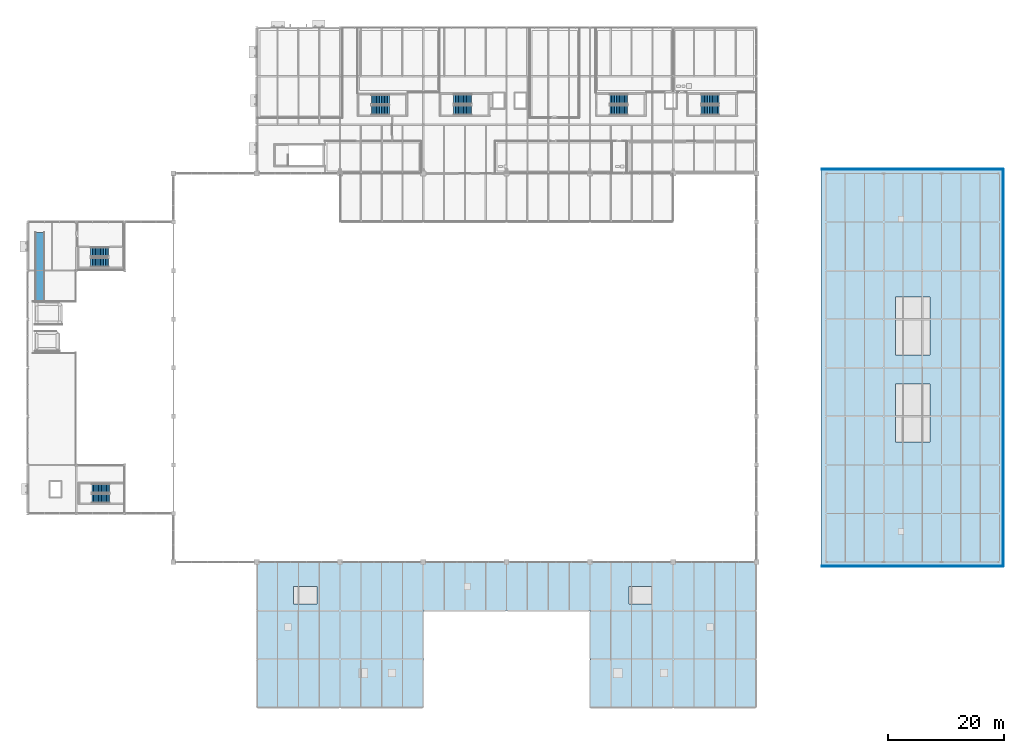
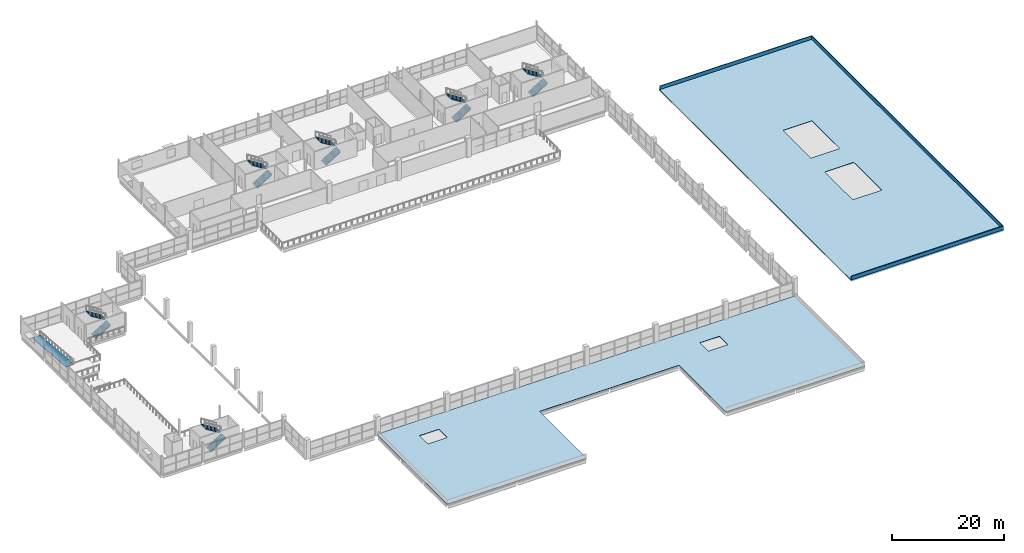
# One storey, part 82 of 93: 12 stair flights, 3 walls, 2 roofs, 1 ramp flight, 7 elements without a shape of their own.
"""IFC4 building model written with IfcOpenShell, lengths in metres."""

import ifcopenshell
import ifcopenshell.guid

model = None  # the IFC model being written
_history = None  # IfcOwnerHistory: only IFC2X3 demands one
_inside = {}  # id of a spatial element -> (the spatial element, [elements in it])
_under = {}  # id of a project, library or spatial element -> (it, [spatial elements below it])
_declared = {}  # id of a project -> (the project, [libraries it declares])
_typed = {}  # id of a type object -> (the type object, [elements of that type])
_made_of = {}  # id of a material, layer set ... -> (it, [elements and type objects made of it])


def new_model(schema):
    """Start an empty IFC model of exactly this schema.

    Asked for "IFC4X3", IfcOpenShell would pick the latest addendum, in which some entities
    have other attributes; the version numbers below select the first issue.
    IFC2X3 requires an IfcOwnerHistory on every rooted entity: one is made here for all.
    """
    global model, _history
    if schema == "IFC4X3":
        model = ifcopenshell.file(schema_version=(4, 3, 0, 0))
    else:
        model = ifcopenshell.file(schema=schema)
    _inside.clear()
    _under.clear()
    _declared.clear()
    _typed.clear()
    _made_of.clear()
    _history = None
    if model.schema == "IFC2X3":
        org = make("IfcOrganization", Name="unknown")
        user = make(
            "IfcPersonAndOrganization",
            ThePerson=make("IfcPerson", FamilyName="unknown"),
            TheOrganization=org,
        )
        app = make(
            "IfcApplication",
            ApplicationDeveloper=org,
            Version="unknown",
            ApplicationFullName="unknown",
            ApplicationIdentifier="unknown",
        )
        _history = make(
            "IfcOwnerHistory",
            OwningUser=user,
            OwningApplication=app,
            ChangeAction="ADDED",
            CreationDate=0,
        )
    return model


def make(cls, **values):
    """One entity of the class cls with the attributes given. An attribute that is None is left unset."""
    return model.create_entity(
        cls, **{name: value for name, value in values.items() if value is not None}
    )


def rooted(cls, **values):
    """An entity with a GlobalId (a new one), such as an element, a storey or a relation."""
    return make(cls, GlobalId=ifcopenshell.guid.new(), OwnerHistory=_history, **values)


def si_unit(unit_type, name, prefix=None):
    """IfcSIUnit, for example si_unit("LENGTHUNIT", "METRE", prefix="MILLI")."""
    return make("IfcSIUnit", UnitType=unit_type, Prefix=prefix, Name=name)


def assignment(units):
    """IfcUnitAssignment: the units of a project."""
    return None if units is None else make("IfcUnitAssignment", Units=units)


def point(xyz):
    """IfcCartesianPoint."""
    return None if xyz is None else make("IfcCartesianPoint", Coordinates=xyz)


def direction(xyz):
    """IfcDirection."""
    return None if xyz is None else make("IfcDirection", DirectionRatios=xyz)


def frame(location, z_axis=None, x_axis=None):
    """IfcAxis2Placement3D, a coordinate frame: its origin and axes. An axis left out is left unset."""
    return make(
        "IfcAxis2Placement3D",
        Location=point(location),
        Axis=direction(z_axis),
        RefDirection=direction(x_axis),
    )


def frame_2d(location, x_axis=None):
    """IfcAxis2Placement2D, a coordinate frame in the plane: its origin and x axis."""
    return make(
        "IfcAxis2Placement2D", Location=point(location), RefDirection=direction(x_axis)
    )


def origin():
    """The frame at (0, 0, 0) with its axes left unset."""
    return frame((0.0, 0.0, 0.0))


def place(relative_to, where):
    """IfcLocalPlacement: puts the frame where relative to a parent placement (None: the world)."""
    return make(
        "IfcLocalPlacement", PlacementRelTo=relative_to, RelativePlacement=where
    )


def context(
    kind, dimensions, precision=None, world=None, true_north=None, identifier=None
):
    """IfcGeometricRepresentationContext, for example the 3D "Model" context."""
    return make(
        "IfcGeometricRepresentationContext",
        ContextIdentifier=identifier,
        ContextType=kind,
        CoordinateSpaceDimension=dimensions,
        Precision=precision,
        WorldCoordinateSystem=world,
        TrueNorth=true_north,
    )


def subcontext(parent, identifier, kind, view, scale=None):
    """IfcGeometricRepresentationSubContext, for example "Body" below "Model"."""
    return make(
        "IfcGeometricRepresentationSubContext",
        ContextIdentifier=identifier,
        ContextType=kind,
        ParentContext=parent,
        TargetScale=scale,
        TargetView=view,
    )


def project(units=None, contexts=None):
    """IfcProject with its units and contexts."""
    return rooted(
        "IfcProject",
        Name="project",
        RepresentationContexts=contexts,
        UnitsInContext=assignment(units),
    )


def spatial(cls, under=None, at=None, **own):
    """A site, building, storey or space (cls), placed at a placement, below another one or the project."""
    s = rooted(cls, ObjectPlacement=at, **own)
    if under is not None:
        _under.setdefault(under.id(), (under, []))[1].append(s)
    return s


def polyline(points):
    """IfcPolyline through the points."""
    return make("IfcPolyline", Points=[point(p) for p in points])


def profile(cls, at=None, kind="AREA", **sizes):
    """A parametric profile (cls). Its sizes go by their IFC names, for example OverallWidth=200.0."""
    return make(cls, ProfileType=kind, Position=at, **sizes)


def rectangle(**sizes):
    """IfcRectangleProfileDef."""
    return profile("IfcRectangleProfileDef", **sizes)


def outline(outer, holes=None, kind="AREA"):
    """IfcArbitraryClosedProfileDef: a profile drawn as a closed curve; with holes, ...WithVoids."""
    if holes is None:
        return make("IfcArbitraryClosedProfileDef", ProfileType=kind, OuterCurve=outer)
    return make(
        "IfcArbitraryProfileDefWithVoids",
        ProfileType=kind,
        OuterCurve=outer,
        InnerCurves=holes,
    )


def extrude(swept, where, along, depth):
    """IfcExtrudedAreaSolid: the profile swept, set in the frame where, extruded along a direction by depth."""
    return make(
        "IfcExtrudedAreaSolid",
        SweptArea=swept,
        Position=where,
        ExtrudedDirection=direction(along),
        Depth=depth,
    )


def shape(context_of_items, identifier, shape_type, items):
    """IfcShapeRepresentation: the items that make up one representation, for example the "Body"."""
    return make(
        "IfcShapeRepresentation",
        ContextOfItems=context_of_items,
        RepresentationIdentifier=identifier,
        RepresentationType=shape_type,
        Items=items,
    )


def material(Name=None, Category=None):
    """IfcMaterial."""
    return make("IfcMaterial", Name=Name, Category=Category)


def layer(
    of_material, thickness, ventilated=None, Name=None, Category=None, Priority=None
):
    """IfcMaterialLayer: one layer of a wall or slab, of a material (None: an air gap)."""
    return make(
        "IfcMaterialLayer",
        Material=of_material,
        LayerThickness=thickness,
        IsVentilated=ventilated,
        Name=Name,
        Category=Category,
        Priority=Priority,
    )


def layer_set(layers, Name=None):
    """IfcMaterialLayerSet."""
    return make("IfcMaterialLayerSet", MaterialLayers=layers, LayerSetName=Name)


def made_of(thing, what):
    """Note that an element or type object is made of a material, layer set ...; save() writes the relation."""
    if what is not None:
        _made_of.setdefault(what.id(), (what, []))[1].append(thing)
    return thing


def type_object(cls, material=None, **own):
    """A type object (cls), such as IfcWallType, which elements share."""
    return made_of(rooted(cls, **own), material)


def element(
    cls,
    number,
    at=None,
    inside=None,
    cuts=None,
    type_object=None,
    material=None,
    context=None,
    identifier="Body",
    shape_type=None,
    held_by="IfcProductDefinitionShape",
    body=None,
    shapes=None,
    **own,
):
    """One element of the class cls, such as IfcWall. Its Tag is "e" and its number.

    at: its placement. inside: the storey or other place that contains it. cuts: it is an
    opening in that element (IfcRelVoidsElement). A single representation is given by context,
    identifier, shape_type and body (its items); several are given by shapes. held_by: the class
    of the entity that holds the representations. save() writes the other relations.
    """
    e = rooted(cls, Tag="e%d" % number, ObjectPlacement=at, **own)
    if body is not None:
        shapes = [shape(context, identifier, shape_type, body)]
    if shapes is not None:
        e.Representation = make(held_by, Representations=shapes)
    if inside is not None:
        _inside.setdefault(inside.id(), (inside, []))[1].append(e)
    if cuts is not None:
        rooted(
            "IfcRelVoidsElement", RelatingBuildingElement=cuts, RelatedOpeningElement=e
        )
    if type_object is not None:
        _typed.setdefault(type_object.id(), (type_object, []))[1].append(e)
    return made_of(e, material)


def aggregate(whole, parts):
    """IfcRelAggregates: a whole, such as a stair, and the parts it consists of."""
    return rooted("IfcRelAggregates", RelatingObject=whole, RelatedObjects=parts)


def save(model, path):
    """Write the relations noted so far, then the file.

    IfcRelAggregates (storeys below a building ...), IfcRelContainedInSpatialStructure (elements
    in a storey), IfcRelDefinesByType, IfcRelAssociatesMaterial and IfcRelDeclares: one each for
    every whole, place, type object, material and project.
    """
    for whole, parts in _under.values():
        aggregate(whole, parts)
    for where, things in _inside.values():
        rooted(
            "IfcRelContainedInSpatialStructure",
            RelatedElements=things,
            RelatingStructure=where,
        )
    for kind, things in _typed.values():
        rooted("IfcRelDefinesByType", RelatedObjects=things, RelatingType=kind)
    for what, things in _made_of.values():
        rooted("IfcRelAssociatesMaterial", RelatedObjects=things, RelatingMaterial=what)
    for by, libraries in _declared.values():
        rooted("IfcRelDeclares", RelatingContext=by, RelatedDefinitions=libraries)
    model.write(path)


model = new_model("IFC4")

# Units and contexts
model_context = context("Model", 3, precision=1e-05, world=origin(), true_north=direction((0.0, 1.0)))
body_context = subcontext(model_context, "Body", "Model", "MODEL_VIEW")
ifc_project = project(units=[si_unit("LENGTHUNIT", "METRE"), si_unit("AREAUNIT", "SQUARE_METRE"), si_unit("VOLUMEUNIT", "CUBIC_METRE"), si_unit("PLANEANGLEUNIT", "RADIAN"), si_unit("MASSUNIT", "GRAM", prefix="KILO"), si_unit("THERMODYNAMICTEMPERATUREUNIT", "KELVIN")], contexts=[model_context])

# Site, building, storey
site_placement = place(None, origin())
site = spatial("IfcSite", under=ifc_project, at=site_placement, CompositionType="ELEMENT")
building_placement = place(site_placement, origin())
building = spatial("IfcBuilding", under=site, at=building_placement, Name="Nduvali Passage Aquatics Centre", CompositionType="ELEMENT")
storey_placement = place(building_placement, frame((0.0, 0.0, 9.0)))
storey = spatial("IfcBuildingStorey", under=building, at=storey_placement, Name="L02", CompositionType="ELEMENT", Elevation=9.0)

# Walls
ifc_material_1 = material(Name="Precast concrete C40/50", Category="concrete")
ifc_layer_1 = layer(ifc_material_1, 0.159912109375, Name="Precast concrete C40/50")
ifc_layer_set_1 = layer_set([ifc_layer_1], Name="Precast concrete C40/50")
wall_type = type_object("IfcWallType", Name="ENV-WAL-PAR160", PredefinedType="PARAPET", material=ifc_layer_set_1)
for number, where, z_axis, x_axis, name in (
    (1, (137.300048828125, 24.5, 0.0), (0.0, 0.0, 1.0), (1.0, 0.0, 0.0), "V3 Canopy South Parapet"),
    (2, (137.300048828125, 93.10009765625, 0.0), (0.0, 0.0, 1.0), (1.0, 0.0, 0.0), "V3 Canopy North Parapet"),
):
    element("IfcWall", number, at=place(storey_placement, frame(where, z_axis=z_axis, x_axis=x_axis)), inside=storey, type_object=wall_type, Name=name, PredefinedType="PARAPET", context=body_context, shape_type="SweptSolid", body=[
        extrude(rectangle(XDim=31.39990234375, YDim=0.159912109375, at=frame_2d((15.699951171875, 0.0))), origin(), (0.0, 0.0, 1.0), 0.85009765625),
    ])
wall_placement = place(storey_placement, frame((168.699951171875, 24.5, 0.0), z_axis=(0.0, 0.0, 1.0), x_axis=(0.0, 1.0, 0.0)))
element("IfcWall", 3, at=wall_placement, inside=storey, type_object=wall_type, Name="V3 Canopy East Parapet", PredefinedType="PARAPET", context=body_context, shape_type="SweptSolid", body=[
    extrude(rectangle(XDim=68.60009765625, YDim=0.159912109375, at=frame_2d((34.300048828125, 0.0))), origin(), (0.0, 0.0, 1.0), 0.85009765625),
])

# Stair, stair flights
ifc_material_2 = material(Name="Concrete C40/50", Category="concrete")
stair_type_1 = type_object("IfcStairType", Name="INT-STR-CORE160", PredefinedType="HALF_TURN_STAIR", material=ifc_material_2)
stair_1_placement = place(storey_placement, origin())
stair_1 = element("IfcStair", 4, at=stair_1_placement, inside=storey, type_object=stair_type_1, Name="L02 ST9", PredefinedType="HALF_TURN_STAIR")
stair_flight_type_1 = type_object("IfcStairFlightType", Name="INT-FLT-160", PredefinedType="STRAIGHT", material=ifc_material_2)
stair_flight_1_placement = place(storey_placement, frame((11.10009765625, 36.199951171875, 0.0), z_axis=(0.0, 0.0, 1.0), x_axis=(1.0, 0.0, 0.0)))
stair_flight_1 = element("IfcStairFlight", 5, at=stair_flight_1_placement, type_object=stair_flight_type_1, Name="ST9 flight 1", NumberOfRisers=12, NumberOfTreads=11, PredefinedType="STRAIGHT", RiserHeight=0.175, TreadLength=0.28, context=body_context, shape_type="SweptSolid", body=[
    extrude(outline(polyline([(0.0, 0.0), (0.0, 0.175048828125), (0.280029296875, 0.175048828125), (0.280029296875, 0.35009765625), (0.56005859375, 0.35009765625), (0.56005859375, 0.52490234375), (0.840087890625, 0.52490234375), (0.840087890625, 0.699951171875), (1.1201171875, 0.699951171875), (1.1201171875, 0.875), (1.39990234375, 0.875), (1.39990234375, 1.050048828125), (1.679931640625, 1.050048828125), (1.679931640625, 1.22509765625), (1.9599609375, 1.22509765625), (1.9599609375, 1.39990234375), (2.239990234375, 1.39990234375), (2.239990234375, 1.574951171875), (2.52001953125, 1.574951171875), (2.52001953125, 1.75), (2.800048828125, 1.75), (2.800048828125, 1.925048828125), (3.080078125, 1.925048828125), (3.080078125, 2.10009765625), (3.080810546875, 2.10009765625), (3.080810546875, 1.89990234375), (3.080078125, 1.748291015625), (0.28271484375, 0.0), (0.0, 0.0)])), frame((0.0, 0.800048828125, 0.0), z_axis=(0.0, -1.0, 0.0), x_axis=(1.0, 0.0, 0.0)), (0.0, 0.0, 1.0), 1.60009765625),
])
stair_flight_2_placement = place(storey_placement, frame((14.179931640625, 37.949951171875, 2.10009765625), z_axis=(0.0, 0.0, 1.0), x_axis=(-1.0, 0.0, 0.0)))
stair_flight_2 = element("IfcStairFlight", 6, at=stair_flight_2_placement, type_object=stair_flight_type_1, Name="ST9 flight 2", NumberOfRisers=12, NumberOfTreads=11, PredefinedType="STRAIGHT", RiserHeight=0.175, TreadLength=0.28, context=body_context, shape_type="SweptSolid", body=[
    extrude(outline(polyline([(0.0, 0.0), (0.0, 0.175048828125), (0.280029296875, 0.175048828125), (0.280029296875, 0.35009765625), (0.56005859375, 0.35009765625), (0.56005859375, 0.52490234375), (0.840087890625, 0.52490234375), (0.840087890625, 0.699951171875), (1.1201171875, 0.699951171875), (1.1201171875, 0.875), (1.39990234375, 0.875), (1.39990234375, 1.050048828125), (1.679931640625, 1.050048828125), (1.679931640625, 1.22509765625), (1.9599609375, 1.22509765625), (1.9599609375, 1.39990234375), (2.239990234375, 1.39990234375), (2.239990234375, 1.574951171875), (2.52001953125, 1.574951171875), (2.52001953125, 1.75), (2.800048828125, 1.75), (2.800048828125, 1.925048828125), (3.080078125, 1.925048828125), (3.080078125, 2.10009765625), (3.080810546875, 2.10009765625), (3.080810546875, 1.89990234375), (3.080078125, 1.748291015625), (0.28271484375, 0.0), (0.0, 0.0)])), frame((0.0, 0.800048828125, 0.0), z_axis=(0.0, -1.0, 0.0), x_axis=(1.0, 0.0, 0.0)), (0.0, 0.0, 1.0), 1.60009765625),
])
aggregate(stair_1, [stair_flight_1, stair_flight_2])

stair_type_2 = type_object("IfcStairType", Name="INT-STR-CORE164", PredefinedType="HALF_TURN_STAIR", material=ifc_material_2)
stair_2_placement = place(storey_placement, origin())
stair_2 = element("IfcStair", 7, at=stair_2_placement, inside=storey, type_object=stair_type_2, Name="L02 ST12", PredefinedType="HALF_TURN_STAIR")
stair_flight_type_2 = type_object("IfcStairFlightType", Name="INT-FLT-164", PredefinedType="STRAIGHT", material=ifc_material_2)
stair_flight_3_placement = place(storey_placement, frame((10.89990234375, 77.02001953125, 0.0), z_axis=(0.0, 0.0, 1.0), x_axis=(1.0, 0.0, 0.0)))
stair_flight_3 = element("IfcStairFlight", 8, at=stair_flight_3_placement, type_object=stair_flight_type_2, Name="ST12 flight 1", NumberOfRisers=12, NumberOfTreads=11, PredefinedType="STRAIGHT", RiserHeight=0.175, TreadLength=0.28, context=body_context, shape_type="SweptSolid", body=[
    extrude(outline(polyline([(0.0, 0.0), (0.0, 0.175048828125), (0.280029296875, 0.175048828125), (0.280029296875, 0.35009765625), (0.56005859375, 0.35009765625), (0.56005859375, 0.52490234375), (0.840087890625, 0.52490234375), (0.840087890625, 0.699951171875), (1.1201171875, 0.699951171875), (1.1201171875, 0.875), (1.39990234375, 0.875), (1.39990234375, 1.050048828125), (1.679931640625, 1.050048828125), (1.679931640625, 1.22509765625), (1.9599609375, 1.22509765625), (1.9599609375, 1.39990234375), (2.239990234375, 1.39990234375), (2.239990234375, 1.574951171875), (2.52001953125, 1.574951171875), (2.52001953125, 1.75), (2.800048828125, 1.75), (2.800048828125, 1.925048828125), (3.080078125, 1.925048828125), (3.080078125, 2.10009765625), (3.080810546875, 2.10009765625), (3.080810546875, 1.89990234375), (3.080078125, 1.748291015625), (0.28271484375, 0.0), (0.0, 0.0)])), frame((0.0, 0.81982421875, 0.0), z_axis=(0.0, -1.0, 0.0), x_axis=(1.0, 0.0, 0.0)), (0.0, 0.0, 1.0), 1.639892578125),
])
stair_flight_4_placement = place(storey_placement, frame((13.97998046875, 78.81005859375, 2.10009765625), z_axis=(0.0, 0.0, 1.0), x_axis=(-1.0, 0.0, 0.0)))
stair_flight_4 = element("IfcStairFlight", 9, at=stair_flight_4_placement, type_object=stair_flight_type_2, Name="ST12 flight 2", NumberOfRisers=12, NumberOfTreads=11, PredefinedType="STRAIGHT", RiserHeight=0.175, TreadLength=0.28, context=body_context, shape_type="SweptSolid", body=[
    extrude(outline(polyline([(0.0, 0.0), (0.0, 0.175048828125), (0.280029296875, 0.175048828125), (0.280029296875, 0.35009765625), (0.56005859375, 0.35009765625), (0.56005859375, 0.52490234375), (0.840087890625, 0.52490234375), (0.840087890625, 0.699951171875), (1.1201171875, 0.699951171875), (1.1201171875, 0.875), (1.39990234375, 0.875), (1.39990234375, 1.050048828125), (1.679931640625, 1.050048828125), (1.679931640625, 1.22509765625), (1.9599609375, 1.22509765625), (1.9599609375, 1.39990234375), (2.239990234375, 1.39990234375), (2.239990234375, 1.574951171875), (2.52001953125, 1.574951171875), (2.52001953125, 1.75), (2.800048828125, 1.75), (2.800048828125, 1.925048828125), (3.080078125, 1.925048828125), (3.080078125, 2.10009765625), (3.080810546875, 2.10009765625), (3.080810546875, 1.89990234375), (3.080078125, 1.748291015625), (0.28271484375, 0.0), (0.0, 0.0)])), frame((0.0, 0.81982421875, 0.0), z_axis=(0.0, -1.0, 0.0), x_axis=(1.0, 0.0, 0.0)), (0.0, 0.0, 1.0), 1.639892578125),
])
aggregate(stair_2, [stair_flight_3, stair_flight_4])

stair_type_3 = type_object("IfcStairType", Name="INT-STR-CORE168", PredefinedType="HALF_TURN_STAIR", material=ifc_material_2)
stair_3_placement = place(storey_placement, origin())
stair_3 = element("IfcStair", 10, at=stair_3_placement, inside=storey, type_object=stair_type_3, Name="L02 ST3", PredefinedType="HALF_TURN_STAIR")
stair_flight_type_3 = type_object("IfcStairFlightType", Name="INT-FLT-168", PredefinedType="STRAIGHT", material=ifc_material_2)
stair_flight_5_placement = place(storey_placement, frame((59.449951171875, 103.340087890625, 0.0), z_axis=(0.0, 0.0, 1.0), x_axis=(1.0, 0.0, 0.0)))
stair_flight_5 = element("IfcStairFlight", 11, at=stair_flight_5_placement, type_object=stair_flight_type_3, Name="ST3 flight 1", NumberOfRisers=12, NumberOfTreads=11, PredefinedType="STRAIGHT", RiserHeight=0.175, TreadLength=0.28, context=body_context, shape_type="SweptSolid", body=[
    extrude(outline(polyline([(0.0, 0.0), (0.0, 0.175048828125), (0.280029296875, 0.175048828125), (0.280029296875, 0.35009765625), (0.56005859375, 0.35009765625), (0.56005859375, 0.52490234375), (0.840087890625, 0.52490234375), (0.840087890625, 0.699951171875), (1.1201171875, 0.699951171875), (1.1201171875, 0.875), (1.39990234375, 0.875), (1.39990234375, 1.050048828125), (1.679931640625, 1.050048828125), (1.679931640625, 1.22509765625), (1.9599609375, 1.22509765625), (1.9599609375, 1.39990234375), (2.239990234375, 1.39990234375), (2.239990234375, 1.574951171875), (2.52001953125, 1.574951171875), (2.52001953125, 1.75), (2.800048828125, 1.75), (2.800048828125, 1.925048828125), (3.080078125, 1.925048828125), (3.080078125, 2.10009765625), (3.080810546875, 2.10009765625), (3.080810546875, 1.89990234375), (3.080078125, 1.748291015625), (0.28271484375, 0.0), (0.0, 0.0)])), frame((0.0, 0.83984375, 0.0), z_axis=(0.0, -1.0, 0.0), x_axis=(1.0, 0.0, 0.0)), (0.0, 0.0, 1.0), 1.679931640625),
])
stair_flight_6_placement = place(storey_placement, frame((62.530029296875, 105.169921875, 2.10009765625), z_axis=(0.0, 0.0, 1.0), x_axis=(-1.0, 0.0, 0.0)))
stair_flight_6 = element("IfcStairFlight", 12, at=stair_flight_6_placement, type_object=stair_flight_type_3, Name="ST3 flight 2", NumberOfRisers=12, NumberOfTreads=11, PredefinedType="STRAIGHT", RiserHeight=0.175, TreadLength=0.28, context=body_context, shape_type="SweptSolid", body=[
    extrude(outline(polyline([(0.0, 0.0), (0.0, 0.175048828125), (0.280029296875, 0.175048828125), (0.280029296875, 0.35009765625), (0.56005859375, 0.35009765625), (0.56005859375, 0.52490234375), (0.840087890625, 0.52490234375), (0.840087890625, 0.699951171875), (1.1201171875, 0.699951171875), (1.1201171875, 0.875), (1.39990234375, 0.875), (1.39990234375, 1.050048828125), (1.679931640625, 1.050048828125), (1.679931640625, 1.22509765625), (1.9599609375, 1.22509765625), (1.9599609375, 1.39990234375), (2.239990234375, 1.39990234375), (2.239990234375, 1.574951171875), (2.52001953125, 1.574951171875), (2.52001953125, 1.75), (2.800048828125, 1.75), (2.800048828125, 1.925048828125), (3.080078125, 1.925048828125), (3.080078125, 2.10009765625), (3.080810546875, 2.10009765625), (3.080810546875, 1.89990234375), (3.080078125, 1.748291015625), (0.28271484375, 0.0), (0.0, 0.0)])), frame((0.0, 0.83984375, 0.0), z_axis=(0.0, -1.0, 0.0), x_axis=(1.0, 0.0, 0.0)), (0.0, 0.0, 1.0), 1.679931640625),
])
aggregate(stair_3, [stair_flight_5, stair_flight_6])

stair_type_4 = type_object("IfcStairType", Name="INT-STR-CORE172", PredefinedType="HALF_TURN_STAIR", material=ifc_material_2)
stair_4_placement = place(storey_placement, origin())
stair_4 = element("IfcStair", 13, at=stair_4_placement, inside=storey, type_object=stair_type_4, Name="L02 ST1", PredefinedType="HALF_TURN_STAIR")
stair_flight_type_4 = type_object("IfcStairFlightType", Name="INT-FLT-172", PredefinedType="STRAIGHT", material=ifc_material_2)
stair_flight_7_placement = place(storey_placement, frame((73.64990234375, 103.360107421875, 0.0), z_axis=(0.0, 0.0, 1.0), x_axis=(1.0, 0.0, 0.0)))
stair_flight_7 = element("IfcStairFlight", 14, at=stair_flight_7_placement, type_object=stair_flight_type_4, Name="ST1 flight 1", NumberOfRisers=12, NumberOfTreads=11, PredefinedType="STRAIGHT", RiserHeight=0.175, TreadLength=0.28, context=body_context, shape_type="SweptSolid", body=[
    extrude(outline(polyline([(0.0, 0.0), (0.0, 0.175048828125), (0.280029296875, 0.175048828125), (0.280029296875, 0.35009765625), (0.56005859375, 0.35009765625), (0.56005859375, 0.52490234375), (0.840087890625, 0.52490234375), (0.840087890625, 0.699951171875), (1.1201171875, 0.699951171875), (1.1201171875, 0.875), (1.39990234375, 0.875), (1.39990234375, 1.050048828125), (1.679931640625, 1.050048828125), (1.679931640625, 1.22509765625), (1.9599609375, 1.22509765625), (1.9599609375, 1.39990234375), (2.239990234375, 1.39990234375), (2.239990234375, 1.574951171875), (2.52001953125, 1.574951171875), (2.52001953125, 1.75), (2.800048828125, 1.75), (2.800048828125, 1.925048828125), (3.080078125, 1.925048828125), (3.080078125, 2.10009765625), (3.080810546875, 2.10009765625), (3.080810546875, 1.89990234375), (3.080078125, 1.748291015625), (0.28271484375, 0.0), (0.0, 0.0)])), frame((0.0, 0.85986328125, 0.0), z_axis=(0.0, -1.0, 0.0), x_axis=(1.0, 0.0, 0.0)), (0.0, 0.0, 1.0), 1.719970703125),
])
stair_flight_8_placement = place(storey_placement, frame((76.72998046875, 105.22998046875, 2.10009765625), z_axis=(0.0, 0.0, 1.0), x_axis=(-1.0, 0.0, 0.0)))
stair_flight_8 = element("IfcStairFlight", 15, at=stair_flight_8_placement, type_object=stair_flight_type_4, Name="ST1 flight 2", NumberOfRisers=12, NumberOfTreads=11, PredefinedType="STRAIGHT", RiserHeight=0.175, TreadLength=0.28, context=body_context, shape_type="SweptSolid", body=[
    extrude(outline(polyline([(0.0, 0.0), (0.0, 0.175048828125), (0.280029296875, 0.175048828125), (0.280029296875, 0.35009765625), (0.56005859375, 0.35009765625), (0.56005859375, 0.52490234375), (0.840087890625, 0.52490234375), (0.840087890625, 0.699951171875), (1.1201171875, 0.699951171875), (1.1201171875, 0.875), (1.39990234375, 0.875), (1.39990234375, 1.050048828125), (1.679931640625, 1.050048828125), (1.679931640625, 1.22509765625), (1.9599609375, 1.22509765625), (1.9599609375, 1.39990234375), (2.239990234375, 1.39990234375), (2.239990234375, 1.574951171875), (2.52001953125, 1.574951171875), (2.52001953125, 1.75), (2.800048828125, 1.75), (2.800048828125, 1.925048828125), (3.080078125, 1.925048828125), (3.080078125, 2.10009765625), (3.080810546875, 2.10009765625), (3.080810546875, 1.89990234375), (3.080078125, 1.748291015625), (0.28271484375, 0.0), (0.0, 0.0)])), frame((0.0, 0.85986328125, 0.0), z_axis=(0.0, -1.0, 0.0), x_axis=(1.0, 0.0, 0.0)), (0.0, 0.0, 1.0), 1.719970703125),
])
aggregate(stair_4, [stair_flight_7, stair_flight_8])

stair_5_placement = place(storey_placement, origin())
stair_5 = element("IfcStair", 16, at=stair_5_placement, inside=storey, type_object=stair_type_4, Name="L02 ST2", PredefinedType="HALF_TURN_STAIR")
stair_flight_9_placement = place(storey_placement, frame((116.449951171875, 103.360107421875, 0.0), z_axis=(0.0, 0.0, 1.0), x_axis=(1.0, 0.0, 0.0)))
stair_flight_9 = element("IfcStairFlight", 17, at=stair_flight_9_placement, type_object=stair_flight_type_4, Name="ST2 flight 1", NumberOfRisers=12, NumberOfTreads=11, PredefinedType="STRAIGHT", RiserHeight=0.175, TreadLength=0.28, context=body_context, shape_type="SweptSolid", body=[
    extrude(outline(polyline([(0.0, 0.0), (0.0, 0.175048828125), (0.280029296875, 0.175048828125), (0.280029296875, 0.35009765625), (0.56005859375, 0.35009765625), (0.56005859375, 0.52490234375), (0.840087890625, 0.52490234375), (0.840087890625, 0.699951171875), (1.1201171875, 0.699951171875), (1.1201171875, 0.875), (1.39990234375, 0.875), (1.39990234375, 1.050048828125), (1.679931640625, 1.050048828125), (1.679931640625, 1.22509765625), (1.9599609375, 1.22509765625), (1.9599609375, 1.39990234375), (2.239990234375, 1.39990234375), (2.239990234375, 1.574951171875), (2.52001953125, 1.574951171875), (2.52001953125, 1.75), (2.800048828125, 1.75), (2.800048828125, 1.925048828125), (3.080078125, 1.925048828125), (3.080078125, 2.10009765625), (3.080810546875, 2.10009765625), (3.080810546875, 1.89990234375), (3.080078125, 1.748291015625), (0.28271484375, 0.0), (0.0, 0.0)])), frame((0.0, 0.85986328125, 0.0), z_axis=(0.0, -1.0, 0.0), x_axis=(1.0, 0.0, 0.0)), (0.0, 0.0, 1.0), 1.719970703125),
])
stair_flight_10_placement = place(storey_placement, frame((119.530029296875, 105.22998046875, 2.10009765625), z_axis=(0.0, 0.0, 1.0), x_axis=(-1.0, 0.0, 0.0)))
stair_flight_10 = element("IfcStairFlight", 18, at=stair_flight_10_placement, type_object=stair_flight_type_4, Name="ST2 flight 2", NumberOfRisers=12, NumberOfTreads=11, PredefinedType="STRAIGHT", RiserHeight=0.175, TreadLength=0.28, context=body_context, shape_type="SweptSolid", body=[
    extrude(outline(polyline([(0.0, 0.0), (0.0, 0.175048828125), (0.280029296875, 0.175048828125), (0.280029296875, 0.35009765625), (0.56005859375, 0.35009765625), (0.56005859375, 0.52490234375), (0.840087890625, 0.52490234375), (0.840087890625, 0.699951171875), (1.1201171875, 0.699951171875), (1.1201171875, 0.875), (1.39990234375, 0.875), (1.39990234375, 1.050048828125), (1.679931640625, 1.050048828125), (1.679931640625, 1.22509765625), (1.9599609375, 1.22509765625), (1.9599609375, 1.39990234375), (2.239990234375, 1.39990234375), (2.239990234375, 1.574951171875), (2.52001953125, 1.574951171875), (2.52001953125, 1.75), (2.800048828125, 1.75), (2.800048828125, 1.925048828125), (3.080078125, 1.925048828125), (3.080078125, 2.10009765625), (3.080810546875, 2.10009765625), (3.080810546875, 1.89990234375), (3.080078125, 1.748291015625), (0.28271484375, 0.0), (0.0, 0.0)])), frame((0.0, 0.85986328125, 0.0), z_axis=(0.0, -1.0, 0.0), x_axis=(1.0, 0.0, 0.0)), (0.0, 0.0, 1.0), 1.719970703125),
])
aggregate(stair_5, [stair_flight_9, stair_flight_10])

stair_6_placement = place(storey_placement, origin())
stair_6 = element("IfcStair", 19, at=stair_6_placement, inside=storey, type_object=stair_type_4, Name="L02 ST11", PredefinedType="HALF_TURN_STAIR")
stair_flight_11_placement = place(storey_placement, frame((100.64990234375, 103.360107421875, 0.0), z_axis=(0.0, 0.0, 1.0), x_axis=(1.0, 0.0, 0.0)))
stair_flight_11 = element("IfcStairFlight", 20, at=stair_flight_11_placement, type_object=stair_flight_type_4, Name="ST11 flight 1", NumberOfRisers=12, NumberOfTreads=11, PredefinedType="STRAIGHT", RiserHeight=0.175, TreadLength=0.28, context=body_context, shape_type="SweptSolid", body=[
    extrude(outline(polyline([(0.0, 0.0), (0.0, 0.175048828125), (0.280029296875, 0.175048828125), (0.280029296875, 0.35009765625), (0.56005859375, 0.35009765625), (0.56005859375, 0.52490234375), (0.840087890625, 0.52490234375), (0.840087890625, 0.699951171875), (1.1201171875, 0.699951171875), (1.1201171875, 0.875), (1.39990234375, 0.875), (1.39990234375, 1.050048828125), (1.679931640625, 1.050048828125), (1.679931640625, 1.22509765625), (1.9599609375, 1.22509765625), (1.9599609375, 1.39990234375), (2.239990234375, 1.39990234375), (2.239990234375, 1.574951171875), (2.52001953125, 1.574951171875), (2.52001953125, 1.75), (2.800048828125, 1.75), (2.800048828125, 1.925048828125), (3.080078125, 1.925048828125), (3.080078125, 2.10009765625), (3.080810546875, 2.10009765625), (3.080810546875, 1.89990234375), (3.080078125, 1.748291015625), (0.28271484375, 0.0), (0.0, 0.0)])), frame((0.0, 0.85986328125, 0.0), z_axis=(0.0, -1.0, 0.0), x_axis=(1.0, 0.0, 0.0)), (0.0, 0.0, 1.0), 1.719970703125),
])
stair_flight_12_placement = place(storey_placement, frame((103.72998046875, 105.22998046875, 2.10009765625), z_axis=(0.0, 0.0, 1.0), x_axis=(-1.0, 0.0, 0.0)))
stair_flight_12 = element("IfcStairFlight", 21, at=stair_flight_12_placement, type_object=stair_flight_type_4, Name="ST11 flight 2", NumberOfRisers=12, NumberOfTreads=11, PredefinedType="STRAIGHT", RiserHeight=0.175, TreadLength=0.28, context=body_context, shape_type="SweptSolid", body=[
    extrude(outline(polyline([(0.0, 0.0), (0.0, 0.175048828125), (0.280029296875, 0.175048828125), (0.280029296875, 0.35009765625), (0.56005859375, 0.35009765625), (0.56005859375, 0.52490234375), (0.840087890625, 0.52490234375), (0.840087890625, 0.699951171875), (1.1201171875, 0.699951171875), (1.1201171875, 0.875), (1.39990234375, 0.875), (1.39990234375, 1.050048828125), (1.679931640625, 1.050048828125), (1.679931640625, 1.22509765625), (1.9599609375, 1.22509765625), (1.9599609375, 1.39990234375), (2.239990234375, 1.39990234375), (2.239990234375, 1.574951171875), (2.52001953125, 1.574951171875), (2.52001953125, 1.75), (2.800048828125, 1.75), (2.800048828125, 1.925048828125), (3.080078125, 1.925048828125), (3.080078125, 2.10009765625), (3.080810546875, 2.10009765625), (3.080810546875, 1.89990234375), (3.080078125, 1.748291015625), (0.28271484375, 0.0), (0.0, 0.0)])), frame((0.0, 0.85986328125, 0.0), z_axis=(0.0, -1.0, 0.0), x_axis=(1.0, 0.0, 0.0)), (0.0, 0.0, 1.0), 1.719970703125),
])
aggregate(stair_6, [stair_flight_11, stair_flight_12])

# Ramp, ramp flight
ramp_type = type_object("IfcRampType", Name="ARCH-RMP-PED", PredefinedType="STRAIGHT_RUN_RAMP", material=ifc_material_2)
ramp_placement = place(storey_placement, origin())
ramp = element("IfcRamp", 22, at=ramp_placement, inside=storey, type_object=ramp_type, Name="Diving 10m Platform Accessible Ramp PR8", PredefinedType="STRAIGHT_RUN_RAMP")
ifc_layer_2 = layer(ifc_material_2, 0.219970703125, Name="Concrete C40/50")
ifc_layer_set_2 = layer_set([ifc_layer_2], Name="Concrete C40/50")
ramp_flight_type = type_object("IfcRampFlightType", Name="ARCH-RMF-PED", PredefinedType="STRAIGHT", material=ifc_layer_set_2)
ramp_flight_placement = place(storey_placement, frame((2.10009765625, 82.199951171875, 0.0), z_axis=(0.0, 0.0, 1.0), x_axis=(0.0, -1.0, 0.0)))
ramp_flight = element("IfcRampFlight", 23, at=ramp_flight_placement, type_object=ramp_flight_type, Name="Diving 10m Platform Accessible Ramp PR8 Flight", PredefinedType="STRAIGHT", context=body_context, shape_type="SweptSolid", body=[
    extrude(outline(polyline([(0.0, -0.219970703125), (12.0, 0.780029296875), (12.0, 1.0), (0.0, 0.0), (0.0, -0.219970703125)])), frame((0.0, 0.800048828125, 0.0), z_axis=(0.0, -1.0, 0.0), x_axis=(1.0, 0.0, 0.0)), (0.0, 0.0, 1.0), 1.60009765625),
])
aggregate(ramp, [ramp_flight])

# Roofs
ifc_layer_3 = layer(ifc_material_2, 0.219970703125, Name="Concrete C40/50")
ifc_layer_set_3 = layer_set([ifc_layer_3], Name="Concrete C40/50")
roof_type = type_object("IfcRoofType", Name="ARCH-ROOF-FLAT", PredefinedType="FLAT_ROOF", material=ifc_layer_set_3)
roof_1_placement = place(storey_placement, origin())
element("IfcRoof", 24, at=roof_1_placement, inside=storey, type_object=roof_type, Name="L02 Changing Villages Waterproof Roof Assembly", PredefinedType="FLAT_ROOF", context=body_context, shape_type="SweptSolid", body=[
    extrude(outline(polyline([(39.60009765625, 0.0), (68.39990234375, 0.0), (68.39990234375, 16.800048828125), (97.199951171875, 16.800048828125), (97.199951171875, 0.0), (126.0, 0.0), (126.0, 25.199951171875), (39.60009765625, 25.199951171875), (39.60009765625, 0.0)]), holes=[polyline([(46.0, 18.0), (50.0, 18.0), (50.0, 21.0), (46.0, 21.0), (46.0, 18.0)]), polyline([(104.0, 18.0), (108.0, 18.0), (108.0, 21.0), (104.0, 21.0), (104.0, 18.0)])]), origin(), (0.0, 0.0, 1.0), 0.080078125),
])
roof_2_placement = place(storey_placement, origin())
element("IfcRoof", 25, at=roof_2_placement, inside=storey, type_object=roof_type, Name="L02 East Entrance Pavilion Coffered Canopy Roof", PredefinedType="FLAT_ROOF", context=body_context, shape_type="SweptSolid", body=[
    extrude(outline(polyline([(137.199951171875, 24.39990234375), (168.800048828125, 24.39990234375), (168.800048828125, 93.199951171875), (137.199951171875, 93.199951171875), (137.199951171875, 24.39990234375)]), holes=[polyline([(150.0, 46.0), (156.0, 46.0), (156.0, 56.0), (150.0, 56.0), (150.0, 46.0)]), polyline([(150.0, 61.0), (156.0, 61.0), (156.0, 71.0), (150.0, 71.0), (150.0, 61.0)])]), origin(), (0.0, 0.0, 1.0), 0.080078125),
])

save(model, "model.ifc")
